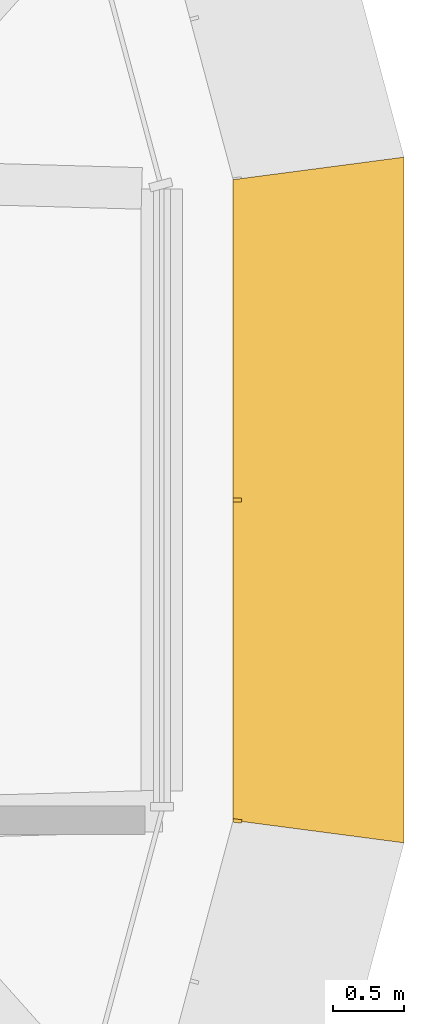
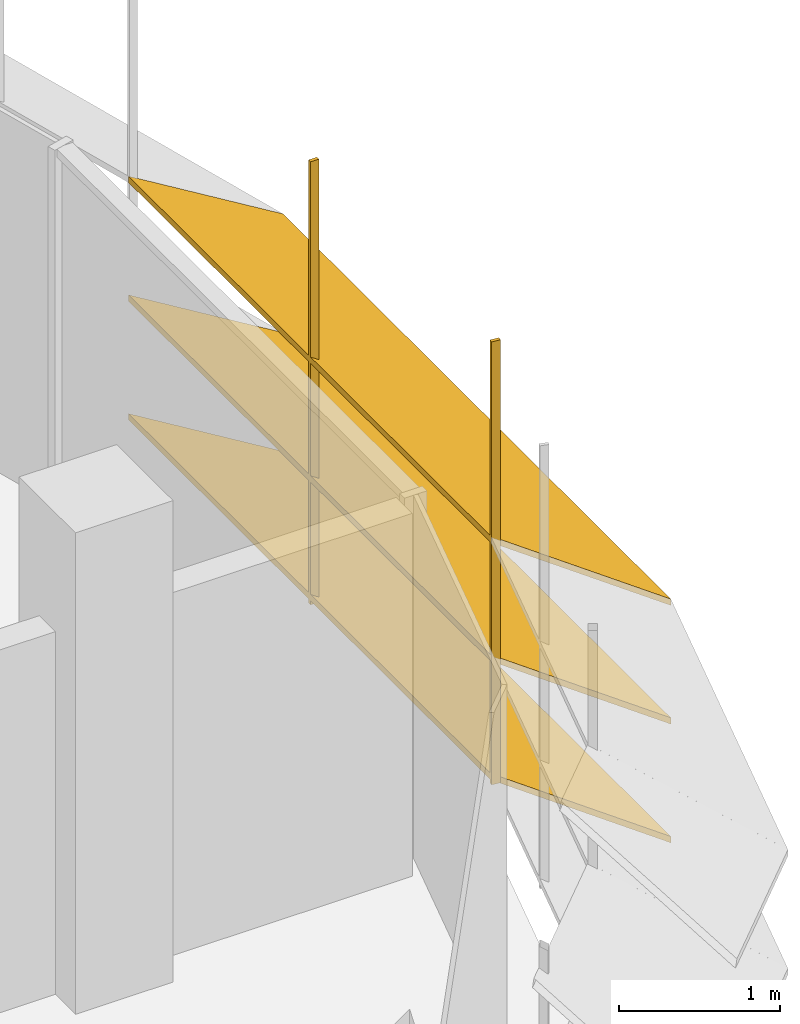
# One storey, part 19 of 19: 1 shading device.
"""IFC4 building model written with IfcOpenShell, lengths in metres."""

from ifc_helpers import new_model, si_unit, direction, frame, origin, place, context, subcontext, project, spatial, polyline, outline, extrude, faceted_brep, source, transform, mapped, material, type_object, element, save


model = new_model("IFC4")

# Units and contexts
model_context = context("Model", 3, precision=1e-05, world=origin(), true_north=direction((0.0, 1.0)))
body_context = subcontext(model_context, "Body", "Model", "MODEL_VIEW")
ifc_project = project(units=[si_unit("LENGTHUNIT", "METRE"), si_unit("AREAUNIT", "SQUARE_METRE"), si_unit("VOLUMEUNIT", "CUBIC_METRE"), si_unit("PLANEANGLEUNIT", "RADIAN"), si_unit("MASSUNIT", "GRAM", prefix="KILO")], contexts=[model_context])

# Site, building, storey
site_placement = place(None, origin())
site = spatial("IfcSite", under=ifc_project, at=site_placement, CompositionType="ELEMENT")
building_placement = place(site_placement, origin())
building = spatial("IfcBuilding", under=site, at=building_placement, Name="Zarbagh Exchange Tower", CompositionType="ELEMENT")
storey_placement = place(building_placement, frame((0.0, 0.0, 229.60009765625)))
storey = spatial("IfcBuildingStorey", under=building, at=storey_placement, Name="L56", CompositionType="ELEMENT", Elevation=229.60009765625)

# Shading device
ifc_material = material(Name="Anodised aluminium blades and brackets", Category="aluminium")
shading_device_type = type_object("IfcShadingDeviceType", Name="SUNSHADE louvre band, 33.75 degree blades", PredefinedType="JALOUSIE", material=ifc_material)
shared_shape_1 = source(origin(), body_context, "Body", "Brep", [
    faceted_brep([(0.0, 0.0, 0.0), (0.0, 0.0, -0.048095703125), (-0.157958984375, -1.199951171875, -0.849853515625), (-0.157958984375, -1.199951171875, -0.8017578125), (4.657958984375, -1.199951171875, -0.8017578125), (4.657958984375, -1.199951171875, -0.849853515625), (4.5, 0.0, -0.048095703125), (4.5, 0.0, 0.0)], [[[0, 1, 2, 3]], [[4, 5, 6, 7]], [[0, 7, 6, 1]], [[1, 6, 5, 2]], [[2, 5, 4, 3]], [[3, 4, 7, 0]]]),
])
shared_shape_2 = source(origin(), body_context, "Body", "SweptSolid", [
    extrude(outline(polyline([(0.0, -0.012451171875), (0.06005859375, -0.012451171875), (0.06005859375, 0.012451171875), (0.0, 0.012451171875), (0.0, -0.012451171875)])), origin(), (0.0, 0.0, 1.0), 3.358154296875),
])
shading_device_placement = place(storey_placement, origin())
element("IfcShadingDevice", 1, at=shading_device_placement, inside=storey, type_object=shading_device_type, Name="SS32 sunshade band", PredefinedType="JALOUSIE", context=body_context, shape_type="MappedRepresentation", body=[
    mapped(shared_shape_1, transform((31.5, -2.25, 2.2998046875), x_axis=(0.0, 1.0, 0.0), y_axis=(-1.0, 0.0, 0.0), z_axis=(0.0, 0.0, 1.0))),
    mapped(shared_shape_1, transform((31.5, -2.25, 1.39990234375), x_axis=(0.0, 1.0, 0.0), y_axis=(-1.0, 0.0, 0.0), z_axis=(0.0, 0.0, 1.0))),
    mapped(shared_shape_1, transform((31.5, -2.25, 0.5), x_axis=(0.0, 1.0, 0.0), y_axis=(-1.0, 0.0, 0.0), z_axis=(0.0, 0.0, 1.0))),
    mapped(shared_shape_2, transform((31.5, -2.25, 0.421875), x_axis=(0.991444457092, -0.130529263012, 0.0), y_axis=(0.130529263012, 0.991444457092, 0.0), z_axis=(0.0, 0.0, 1.0))),
    mapped(shared_shape_2, transform((31.5, 0.0, 0.421875), x_axis=(1.0, 0.0, 0.0), y_axis=(0.0, 1.0, 0.0), z_axis=(0.0, 0.0, 1.0))),
])

save(model, "model.ifc")
